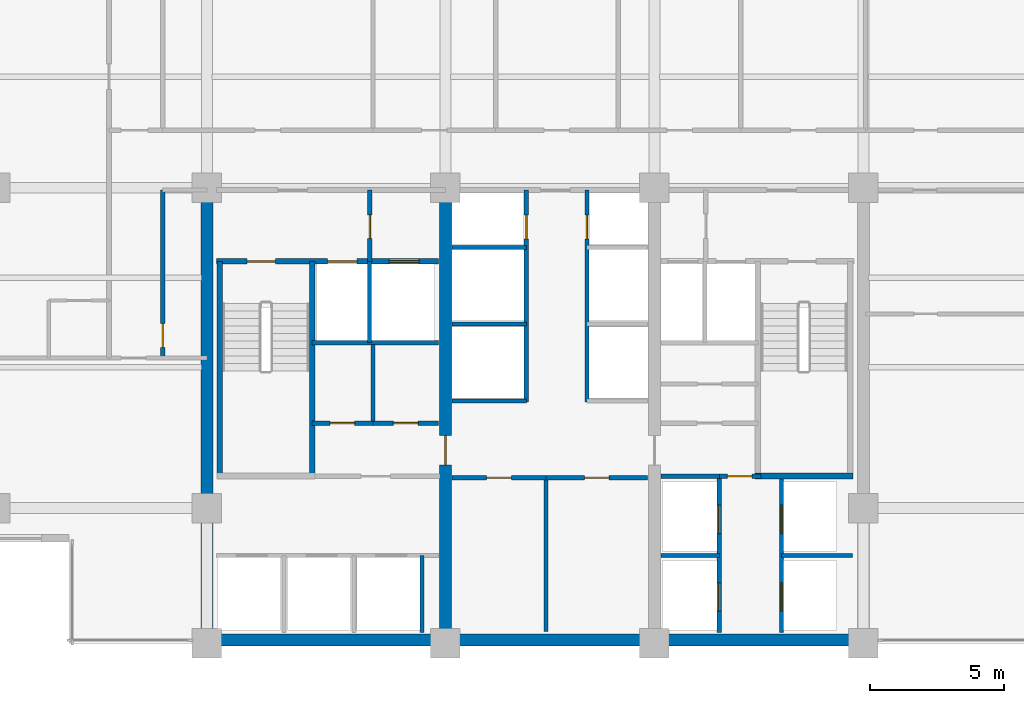
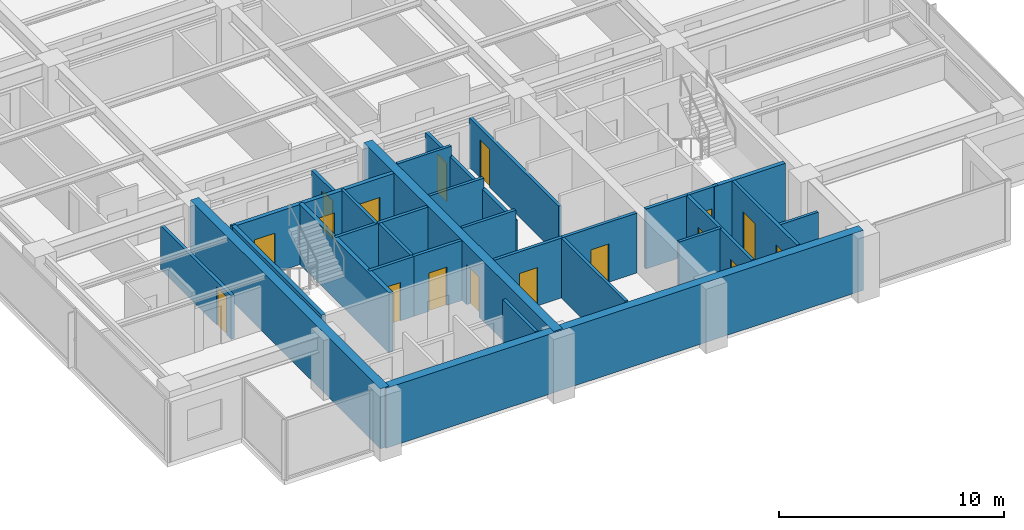
# One storey, part 7 of 15: 29 walls, 17 doors, 17 openings.
"""IFC4 building model written with IfcOpenShell, lengths in metres."""

from ifc_helpers import new_model, si_unit, direction, frame, frame_2d, origin, place, context, subcontext, project, spatial, rectangle, extrude, material, layer, layer_set, type_object, element, fill, save


model = new_model("IFC4")

# Units and contexts
model_context = context("Model", 3, precision=1e-05, world=origin(), true_north=direction((0.0, 1.0)))
body_context = subcontext(model_context, "Body", "Model", "MODEL_VIEW")
ifc_project = project(units=[si_unit("LENGTHUNIT", "METRE"), si_unit("AREAUNIT", "SQUARE_METRE"), si_unit("VOLUMEUNIT", "CUBIC_METRE"), si_unit("PLANEANGLEUNIT", "RADIAN"), si_unit("MASSUNIT", "GRAM", prefix="KILO")], contexts=[model_context])

# Site, building, storey
site_placement = place(None, origin())
site = spatial("IfcSite", under=ifc_project, at=site_placement, CompositionType="ELEMENT")
building_placement = place(site_placement, origin())
building = spatial("IfcBuilding", under=site, at=building_placement, Name="Qalmaran Belvedere Hotel", CompositionType="ELEMENT")
storey_placement = place(building_placement, frame((0.0, 0.0, 149.10009765625)))
storey = spatial("IfcBuildingStorey", under=building, at=storey_placement, Name="L37", CompositionType="ELEMENT", Elevation=149.10009765625)

# Wall
ifc_material_1 = material(Name="Concrete C50/60", Category="concrete")
ifc_layer_1 = layer(ifc_material_1, 0.449951171875, Name="Concrete C50/60")
ifc_layer_set_1 = layer_set([ifc_layer_1], Name="Concrete C50/60")
wall_type_1 = type_object("IfcWallType", Name="WL-CORE-450-C50", PredefinedType="SHEAR", material=ifc_layer_set_1)
wall_1_placement = place(storey_placement, frame((20.300048828125, 3.5, 0.0), z_axis=(0.0, 0.0, 1.0), x_axis=(0.0, 1.0, 0.0)))
element("IfcWall", 1, at=wall_1_placement, inside=storey, type_object=wall_type_1, Name="L37 West Core Shear Wall", PredefinedType="SHEAR", context=body_context, shape_type="SweptSolid", body=[
    extrude(rectangle(XDim=16.89990234375, YDim=0.449951171875, at=frame_2d((8.449951171875, 0.0))), origin(), (0.0, 0.0, 1.0), 3.25),
])

# Wall, opening, door
wall_2_placement = place(storey_placement, frame((29.199951171875, 3.5, 0.0), z_axis=(0.0, 0.0, 1.0), x_axis=(0.0, 1.0, 0.0)))
wall_2 = element("IfcWall", 2, at=wall_2_placement, inside=storey, type_object=wall_type_1, Name="L37 Core West Spine Shear Wall", PredefinedType="SHEAR", context=body_context, shape_type="SweptSolid", body=[
    extrude(rectangle(XDim=16.89990234375, YDim=0.449951171875, at=frame_2d((8.449951171875, 0.0))), origin(), (0.0, 0.0, 1.0), 3.25),
])
opening_1_placement = place(wall_2_placement, frame((7.75, 0.0, 0.0), z_axis=(0.0, 0.0, 1.0), x_axis=(-1.0, 0.0, 0.0)))
opening_1 = element("IfcOpeningElement", 3, at=opening_1_placement, cuts=wall_2, Name="Opening FD90", PredefinedType="OPENING", context=body_context, shape_type="SweptSolid", body=[
    extrude(rectangle(XDim=1.10009765625, YDim=2.14990234375, at=frame_2d((0.550048828125, 1.074951171875))), frame((0.0, 0.23486328125, 0.0), z_axis=(0.0, -1.0, 0.0), x_axis=(1.0, 0.0, 0.0)), (0.0, 0.0, 1.0), 0.469970703125),
])
ifc_material_2 = material(Name="Steel S355JR", Category="steel")
door_type_1 = type_object("IfcDoorType", Name="DR-FD90-1100X2150", OperationType="NOTDEFINED", PredefinedType="DOOR", material=ifc_material_2)
door_1_placement = place(opening_1_placement, origin())
door_1 = element("IfcDoor", 4, at=door_1_placement, inside=storey, type_object=door_type_1, Name="L37 Core West Cross-Lobby Door", OperationType="SINGLE_SWING_LEFT", OverallHeight=2.14990234375, OverallWidth=1.10009765625, PredefinedType="DOOR", context=body_context, shape_type="SweptSolid", body=[
    extrude(rectangle(XDim=1.10009765625, YDim=2.14990234375, at=frame_2d((0.550048828125, 1.074951171875))), frame((0.0, 0.02490234375, 0.0), z_axis=(0.0, -1.0, 0.0), x_axis=(1.0, 0.0, 0.0)), (0.0, 0.0, 1.0), 0.050048828125),
])
fill(opening_1, door_1)

# Walls
ifc_layer_2 = layer(ifc_material_1, 0.43994140625, Name="Concrete C50/60")
ifc_layer_set_2 = layer_set([ifc_layer_2], Name="Concrete C50/60")
wall_type_2 = type_object("IfcWallType", Name="WL-CORES-440-EXT", PredefinedType="SHEAR", material=ifc_layer_set_2)
wall_3_placement = place(storey_placement, frame((20.300048828125, 3.6298828125, 0.0), z_axis=(0.0, 0.0, 1.0), x_axis=(1.0, 0.0, 0.0)))
element("IfcWall", 5, at=wall_3_placement, inside=storey, type_object=wall_type_2, Name="L37 South Core Shear Wall", PredefinedType="SHEAR", context=body_context, shape_type="SweptSolid", body=[
    extrude(rectangle(XDim=24.5, YDim=0.43994140625, at=frame_2d((12.25, 0.0))), origin(), (0.0, 0.0, 1.0), 3.25),
])
ifc_material_3 = material(Name="Gypsum Stud Partition")
ifc_layer_3 = layer(ifc_material_3, 0.14990234375, Name="Gypsum Stud Partition")
ifc_layer_set_3 = layer_set([ifc_layer_3], Name="Gypsum Stud Partition")
wall_type_3 = type_object("IfcWallType", Name="WL-INT-150-EI120", PredefinedType="PARTITIONING", material=ifc_layer_set_3)
wall_4_placement = place(storey_placement, frame((26.360107421875, 14.719970703125, 0.0), z_axis=(0.0, 0.0, 1.0), x_axis=(0.0, 1.0, 0.0)))
element("IfcWall", 6, at=wall_4_placement, inside=storey, type_object=wall_type_3, Name="L37 Partition WL-FF1M-L37", PredefinedType="PARTITIONING", context=body_context, shape_type="SweptSolid", body=[
    extrude(rectangle(XDim=3.0400390625, YDim=0.14990234375, at=frame_2d((1.52001953125, 0.0))), origin(), (0.0, 0.0, 1.0), 3.25),
])
wall_5_placement = place(storey_placement, frame((28.320068359375, 3.89990234375, 0.0), z_axis=(0.0, 0.0, 1.0), x_axis=(0.0, 1.0, 0.0)))
element("IfcWall", 7, at=wall_5_placement, inside=storey, type_object=wall_type_3, Name="L37 Partition WL-POM3-L37", PredefinedType="PARTITIONING", context=body_context, shape_type="SweptSolid", body=[
    extrude(rectangle(XDim=2.880126953125, YDim=0.14990234375, at=frame_2d((1.43994140625, 0.0))), origin(), (0.0, 0.0, 1.0), 3.25),
])
wall_6_placement = place(storey_placement, frame((37.25, 6.780029296875, 0.0), z_axis=(0.0, 0.0, 1.0), x_axis=(1.0, 0.0, 0.0)))
element("IfcWall", 8, at=wall_6_placement, inside=storey, type_object=wall_type_3, Name="L37 Partition WL-PHMW-L37", PredefinedType="PARTITIONING", context=body_context, shape_type="SweptSolid", body=[
    extrude(rectangle(XDim=2.169921875, YDim=0.14990234375, at=frame_2d((1.0849609375, 0.0))), origin(), (0.0, 0.0, 1.0), 3.25),
])
wall_7_placement = place(storey_placement, frame((41.739990234375, 6.780029296875, 0.0), z_axis=(0.0, 0.0, 1.0), x_axis=(1.0, 0.0, 0.0)))
element("IfcWall", 9, at=wall_7_placement, inside=storey, type_object=wall_type_3, Name="L37 Partition WL-PHME-L37", PredefinedType="PARTITIONING", context=body_context, shape_type="SweptSolid", body=[
    extrude(rectangle(XDim=2.659912109375, YDim=0.14990234375, at=frame_2d((1.330078125, 0.0))), origin(), (0.0, 0.0, 1.0), 2.3798828125),
])
for number, where, z_axis, x_axis, name in (
    (10, (29.449951171875, 12.550048828125, 0.0), (0.0, 0.0, 1.0), (1.0, 0.0, 0.0), "L37 Partition WL-PMW-L37-125"),
    (11, (29.449951171875, 15.419921875, 0.0), (0.0, 0.0, 1.0), (1.0, 0.0, 0.0), "L37 Partition WL-PMW-L37-154"),
    (12, (29.449951171875, 18.280029296875, 0.0), (0.0, 0.0, 1.0), (1.0, 0.0, 0.0), "L37 Partition WL-PMW-L37-182"),
):
    element("IfcWall", number, at=place(storey_placement, frame(where, z_axis=z_axis, x_axis=x_axis)), inside=storey, type_object=wall_type_3, Name=name, PredefinedType="PARTITIONING", context=body_context, shape_type="SweptSolid", body=[
        extrude(rectangle(XDim=2.77001953125, YDim=0.14990234375, at=frame_2d((1.385009765625, 0.0))), origin(), (0.0, 0.0, 1.0), 3.25),
    ])
ifc_layer_4 = layer(ifc_material_3, 0.14990234375, Name="Gypsum Stud Partition")
ifc_layer_set_4 = layer_set([ifc_layer_4], Name="Gypsum Stud Partition")
wall_type_4 = type_object("IfcWallType", Name="WL-INT-150-EI60", PredefinedType="PARTITIONING", material=ifc_layer_set_4)
wall_8_placement = place(storey_placement, frame((26.490478515625, 11.719970703125, 0.0), z_axis=(0.0, 0.0, 1.0), x_axis=(0.0, 1.0, 0.0)))
element("IfcWall", 13, at=wall_8_placement, inside=storey, type_object=wall_type_4, Name="L37 Partition WL-L37-KWV1", PredefinedType="PARTITIONING", context=body_context, shape_type="SweptSolid", body=[
    extrude(rectangle(XDim=2.929931640625, YDim=0.14990234375, at=frame_2d((1.46484375, 0.0))), origin(), (0.0, 0.0, 1.0), 3.25),
])
wall_9_placement = place(storey_placement, frame((32.9541015625, 3.949951171875, 0.0), z_axis=(0.0, 0.0, 1.0), x_axis=(0.0, 1.0, 0.0)))
element("IfcWall", 14, at=wall_9_placement, inside=storey, type_object=wall_type_4, Name="L37 Partition WL-L37-KPLV1", PredefinedType="PARTITIONING", context=body_context, shape_type="SweptSolid", body=[
    extrude(rectangle(XDim=5.72998046875, YDim=0.14990234375, at=frame_2d((2.864990234375, 0.0))), origin(), (0.0, 0.0, 1.0), 3.25),
])

# Wall, opening, door
ifc_layer_5 = layer(ifc_material_3, 0.159912109375, Name="Gypsum Stud Partition")
ifc_layer_set_5 = layer_set([ifc_layer_5], Name="Gypsum Stud Partition")
wall_type_5 = type_object("IfcWallType", Name="WL-INT-160-EI120", PredefinedType="PARTITIONING", material=ifc_layer_set_5)
wall_10_placement = place(storey_placement, frame((26.3798828125, 17.760009765625, 0.0), z_axis=(0.0, 0.0, 1.0), x_axis=(0.0, 1.0, 0.0)))
wall_10 = element("IfcWall", 15, at=wall_10_placement, inside=storey, type_object=wall_type_5, Name="L37 Partition WL-FFSV1-L37", PredefinedType="PARTITIONING", context=body_context, shape_type="SweptSolid", body=[
    extrude(rectangle(XDim=2.659912109375, YDim=0.159912109375, at=frame_2d((1.330078125, 0.0))), origin(), (0.0, 0.0, 1.0), 2.69189453125),
])
opening_2_placement = place(wall_10_placement, frame((0.85009765625, 0.0, 0.0)))
opening_2 = element("IfcOpeningElement", 16, at=opening_2_placement, cuts=wall_10, Name="Opening FD60B", PredefinedType="OPENING", context=body_context, shape_type="SweptSolid", body=[
    extrude(rectangle(XDim=0.8798828125, YDim=2.080078125, at=frame_2d((0.43994140625, 1.0400390625))), frame((0.0, 0.08984375, 0.0), z_axis=(0.0, -1.0, 0.0), x_axis=(1.0, 0.0, 0.0)), (0.0, 0.0, 1.0), 0.179931640625),
])
door_type_2 = type_object("IfcDoorType", Name="DR-FD60B-880X2080", OperationType="NOTDEFINED", PredefinedType="DOOR", material=ifc_material_2)
door_2_placement = place(opening_2_placement, origin())
door_2 = element("IfcDoor", 17, at=door_2_placement, inside=storey, type_object=door_type_2, Name="L37 Service Lobby West Door", OperationType="SINGLE_SWING_LEFT", OverallHeight=2.080078125, OverallWidth=0.8798828125, PredefinedType="DOOR", context=body_context, shape_type="SweptSolid", body=[
    extrude(rectangle(XDim=0.8798828125, YDim=2.080078125, at=frame_2d((0.43994140625, 1.0400390625))), frame((0.0, 0.02490234375, 0.0), z_axis=(0.0, -1.0, 0.0), x_axis=(1.0, 0.0, 0.0)), (0.0, 0.0, 1.0), 0.050048828125),
])
fill(opening_2, door_2)

# Wall
wall_11_placement = place(storey_placement, frame((24.219970703125, 14.719970703125, 0.0), z_axis=(0.0, 0.0, 1.0), x_axis=(1.0, 0.0, 0.0)))
element("IfcWall", 18, at=wall_11_placement, inside=storey, type_object=wall_type_5, Name="L37 Partition WL-FF1S-L37", PredefinedType="PARTITIONING", context=body_context, shape_type="SweptSolid", body=[
    extrude(rectangle(XDim=4.72998046875, YDim=0.159912109375, at=frame_2d((2.364990234375, 0.0))), origin(), (0.0, 0.0, 1.0), 3.25),
])

# Wall, openings, doors
wall_12_placement = place(storey_placement, frame((39.419921875, 3.89990234375, 0.0), z_axis=(0.0, 0.0, 1.0), x_axis=(0.0, 1.0, 0.0)))
wall_12 = element("IfcWall", 19, at=wall_12_placement, inside=storey, type_object=wall_type_5, Name="L37 Partition WL-PHW-L37", PredefinedType="PARTITIONING", context=body_context, shape_type="SweptSolid", body=[
    extrude(rectangle(XDim=5.840087890625, YDim=0.159912109375, at=frame_2d((2.919921875, 0.0))), origin(), (0.0, 0.0, 1.0), 3.25),
])
opening_3_placement = place(wall_12_placement, frame((1.860107421875, 0.0, 0.0), z_axis=(0.0, 0.0, 1.0), x_axis=(-1.0, 0.0, 0.0)))
opening_3 = element("IfcOpeningElement", 20, at=opening_3_placement, cuts=wall_12, Name="Opening LD-P2", PredefinedType="OPENING", context=body_context, shape_type="SweptSolid", body=[
    extrude(rectangle(XDim=1.06005859375, YDim=2.159912109375, at=frame_2d((0.530029296875, 1.080078125))), frame((0.0, 0.08984375, 0.0), z_axis=(0.0, -1.0, 0.0), x_axis=(1.0, 0.0, 0.0)), (0.0, 0.0, 1.0), 0.179931640625),
])
opening_4_placement = place(wall_12_placement, frame((4.760009765625, 0.0, 0.0), z_axis=(0.0, 0.0, 1.0), x_axis=(-1.0, 0.0, 0.0)))
opening_4 = element("IfcOpeningElement", 21, at=opening_4_placement, cuts=wall_12, Name="Opening LD-P2", PredefinedType="OPENING", context=body_context, shape_type="SweptSolid", body=[
    extrude(rectangle(XDim=1.06005859375, YDim=2.159912109375, at=frame_2d((0.530029296875, 1.080078125))), frame((0.0, 0.08984375, 0.0), z_axis=(0.0, -1.0, 0.0), x_axis=(1.0, 0.0, 0.0)), (0.0, 0.0, 1.0), 0.179931640625),
])
ifc_material_4 = material(Name="Stainless Steel 1.4401", Category="steel")
door_type_3 = type_object("IfcDoorType", Name="DR-LIFT-P2-1060X2160", OperationType="DOUBLE_DOOR_SLIDING", PredefinedType="DOOR", material=ifc_material_4)
door_3_placement = place(opening_3_placement, origin())
door_3 = element("IfcDoor", 22, at=door_3_placement, inside=storey, type_object=door_type_3, Name="L37 PH1 Lift Landing Door", OperationType="DOUBLE_DOOR_SLIDING", OverallHeight=2.159912109375, OverallWidth=1.06005859375, PredefinedType="DOOR", context=body_context, shape_type="SweptSolid", body=[
    extrude(rectangle(XDim=1.06005859375, YDim=2.159912109375, at=frame_2d((0.530029296875, 1.080078125))), frame((0.0, 0.02490234375, 0.0), z_axis=(0.0, -1.0, 0.0), x_axis=(1.0, 0.0, 0.0)), (0.0, 0.0, 1.0), 0.050048828125),
])
fill(opening_3, door_3)
door_4_placement = place(opening_4_placement, origin())
door_4 = element("IfcDoor", 23, at=door_4_placement, inside=storey, type_object=door_type_3, Name="L37 PH2 Lift Landing Door", OperationType="DOUBLE_DOOR_SLIDING", OverallHeight=2.159912109375, OverallWidth=1.06005859375, PredefinedType="DOOR", context=body_context, shape_type="SweptSolid", body=[
    extrude(rectangle(XDim=1.06005859375, YDim=2.159912109375, at=frame_2d((0.530029296875, 1.080078125))), frame((0.0, 0.02490234375, 0.0), z_axis=(0.0, -1.0, 0.0), x_axis=(1.0, 0.0, 0.0)), (0.0, 0.0, 1.0), 0.050048828125),
])
fill(opening_4, door_4)

wall_13_placement = place(storey_placement, frame((41.739990234375, 3.89990234375, 0.0), z_axis=(0.0, 0.0, 1.0), x_axis=(0.0, 1.0, 0.0)))
wall_13 = element("IfcWall", 24, at=wall_13_placement, inside=storey, type_object=wall_type_5, Name="L37 Partition WL-PHE-L37", PredefinedType="PARTITIONING", context=body_context, shape_type="SweptSolid", body=[
    extrude(rectangle(XDim=5.840087890625, YDim=0.159912109375, at=frame_2d((2.919921875, 0.0))), origin(), (0.0, 0.0, 1.0), 3.25),
])
opening_5_placement = place(wall_13_placement, frame((0.800048828125, 0.0, 0.0)))
opening_5 = element("IfcOpeningElement", 25, at=opening_5_placement, cuts=wall_13, Name="Opening LD-P2", PredefinedType="OPENING", context=body_context, shape_type="SweptSolid", body=[
    extrude(rectangle(XDim=1.06005859375, YDim=2.159912109375, at=frame_2d((0.530029296875, 1.080078125))), frame((0.0, 0.08984375, 0.0), z_axis=(0.0, -1.0, 0.0), x_axis=(1.0, 0.0, 0.0)), (0.0, 0.0, 1.0), 0.179931640625),
])
opening_6_placement = place(wall_13_placement, frame((3.699951171875, 0.0, 0.0)))
opening_6 = element("IfcOpeningElement", 26, at=opening_6_placement, cuts=wall_13, Name="Opening LD-P2", PredefinedType="OPENING", context=body_context, shape_type="SweptSolid", body=[
    extrude(rectangle(XDim=1.06005859375, YDim=2.159912109375, at=frame_2d((0.530029296875, 1.080078125))), frame((0.0, 0.08984375, 0.0), z_axis=(0.0, -1.0, 0.0), x_axis=(1.0, 0.0, 0.0)), (0.0, 0.0, 1.0), 0.179931640625),
])
door_5_placement = place(opening_5_placement, origin())
door_5 = element("IfcDoor", 27, at=door_5_placement, inside=storey, type_object=door_type_3, Name="L37 PH3 Lift Landing Door", OperationType="DOUBLE_DOOR_SLIDING", OverallHeight=2.159912109375, OverallWidth=1.06005859375, PredefinedType="DOOR", context=body_context, shape_type="SweptSolid", body=[
    extrude(rectangle(XDim=1.06005859375, YDim=2.159912109375, at=frame_2d((0.530029296875, 1.080078125))), frame((0.0, 0.02490234375, 0.0), z_axis=(0.0, -1.0, 0.0), x_axis=(1.0, 0.0, 0.0)), (0.0, 0.0, 1.0), 0.050048828125),
])
fill(opening_5, door_5)
door_6_placement = place(opening_6_placement, origin())
door_6 = element("IfcDoor", 28, at=door_6_placement, inside=storey, type_object=door_type_3, Name="L37 PH4 Lift Landing Door", OperationType="DOUBLE_DOOR_SLIDING", OverallHeight=2.159912109375, OverallWidth=1.06005859375, PredefinedType="DOOR", context=body_context, shape_type="SweptSolid", body=[
    extrude(rectangle(XDim=1.06005859375, YDim=2.159912109375, at=frame_2d((0.530029296875, 1.080078125))), frame((0.0, 0.02490234375, 0.0), z_axis=(0.0, -1.0, 0.0), x_axis=(1.0, 0.0, 0.0)), (0.0, 0.0, 1.0), 0.050048828125),
])
fill(opening_6, door_6)

# Wall
wall_14_placement = place(storey_placement, frame((37.25, 9.739990234375, 0.0), z_axis=(0.0, 0.0, 1.0), x_axis=(1.0, 0.0, 0.0)))
element("IfcWall", 29, at=wall_14_placement, inside=storey, type_object=wall_type_5, Name="L37 Partition WL-PHNW-L37", PredefinedType="PARTITIONING", context=body_context, shape_type="SweptSolid", body=[
    extrude(rectangle(XDim=2.169921875, YDim=0.159912109375, at=frame_2d((1.0849609375, 0.0))), origin(), (0.0, 0.0, 1.0), 3.25),
])

# Wall, opening, door
wall_15_placement = place(storey_placement, frame((39.419921875, 9.739990234375, 0.0), z_axis=(0.0, 0.0, 1.0), x_axis=(1.0, 0.0, 0.0)))
wall_15 = element("IfcWall", 30, at=wall_15_placement, inside=storey, type_object=wall_type_5, Name="L37 Partition WL-PHNL-L37", PredefinedType="PARTITIONING", context=body_context, shape_type="SweptSolid", body=[
    extrude(rectangle(XDim=1.56005859375, YDim=0.159912109375, at=frame_2d((0.780029296875, 0.0))), origin(), (0.0, 0.0, 1.0), 3.25),
])
opening_7_placement = place(wall_15_placement, frame((0.300048828125, 0.0, 0.0)))
opening_7 = element("IfcOpeningElement", 31, at=opening_7_placement, cuts=wall_15, Name="Opening FD60S1", PredefinedType="OPENING", context=body_context, shape_type="SweptSolid", body=[
    extrude(rectangle(XDim=0.919921875, YDim=2.080078125, at=frame_2d((0.4599609375, 1.0400390625))), frame((0.0, 0.08984375, 0.0), z_axis=(0.0, -1.0, 0.0), x_axis=(1.0, 0.0, 0.0)), (0.0, 0.0, 1.0), 0.179931640625),
])
ifc_material_5 = material(Name="Engineered Oak Veneer")
door_type_4 = type_object("IfcDoorType", Name="DR-FD60S-920X2080", OperationType="NOTDEFINED", PredefinedType="DOOR", material=ifc_material_5)
door_7_placement = place(opening_7_placement, origin())
door_7 = element("IfcDoor", 32, at=door_7_placement, inside=storey, type_object=door_type_4, Name="L37 High-Rise Lift Lobby Passage Door", OperationType="SINGLE_SWING_LEFT", OverallHeight=2.080078125, OverallWidth=0.919921875, PredefinedType="DOOR", context=body_context, shape_type="SweptSolid", body=[
    extrude(rectangle(XDim=0.919921875, YDim=2.080078125, at=frame_2d((0.4599609375, 1.0400390625))), frame((0.0, 0.02490234375, 0.0), z_axis=(0.0, -1.0, 0.0), x_axis=(1.0, 0.0, 0.0)), (0.0, 0.0, 1.0), 0.050048828125),
])
fill(opening_7, door_7)

wall_16_placement = place(storey_placement, frame((32.219970703125, 12.5, 0.0), z_axis=(0.0, 0.0, 1.0), x_axis=(0.0, 1.0, 0.0)))
wall_16 = element("IfcWall", 33, at=wall_16_placement, inside=storey, type_object=wall_type_5, Name="L37 Partition WL-CLBWN-L37", PredefinedType="PARTITIONING", context=body_context, shape_type="SweptSolid", body=[
    extrude(rectangle(XDim=7.919921875, YDim=0.159912109375, at=frame_2d((3.9599609375, 0.0))), origin(), (0.0, 0.0, 1.0), 2.69189453125),
])
opening_8_placement = place(wall_16_placement, frame((6.10009765625, 0.0, 0.0)))
opening_8 = element("IfcOpeningElement", 34, at=opening_8_placement, cuts=wall_16, Name="Opening FD60B", PredefinedType="OPENING", context=body_context, shape_type="SweptSolid", body=[
    extrude(rectangle(XDim=0.8798828125, YDim=2.080078125, at=frame_2d((0.43994140625, 1.0400390625))), frame((0.0, 0.08984375, 0.0), z_axis=(0.0, -1.0, 0.0), x_axis=(1.0, 0.0, 0.0)), (0.0, 0.0, 1.0), 0.179931640625),
])
door_8_placement = place(opening_8_placement, origin())
door_8 = element("IfcDoor", 35, at=door_8_placement, inside=storey, type_object=door_type_2, Name="L37 West Riser Access Door", OperationType="SINGLE_SWING_RIGHT", OverallHeight=2.080078125, OverallWidth=0.8798828125, PredefinedType="DOOR", context=body_context, shape_type="SweptSolid", body=[
    extrude(rectangle(XDim=0.8798828125, YDim=2.080078125, at=frame_2d((0.43994140625, 1.0400390625))), frame((0.0, 0.02490234375, 0.0), z_axis=(0.0, -1.0, 0.0), x_axis=(1.0, 0.0, 0.0)), (0.0, 0.0, 1.0), 0.050048828125),
])
fill(opening_8, door_8)

wall_17_placement = place(storey_placement, frame((34.47998046875, 12.5, 0.0), z_axis=(0.0, 0.0, 1.0), x_axis=(0.0, 1.0, 0.0)))
wall_17 = element("IfcWall", 36, at=wall_17_placement, inside=storey, type_object=wall_type_5, Name="L37 Partition WL-CLBEN-L37", PredefinedType="PARTITIONING", context=body_context, shape_type="SweptSolid", body=[
    extrude(rectangle(XDim=7.919921875, YDim=0.159912109375, at=frame_2d((3.9599609375, 0.0))), origin(), (0.0, 0.0, 1.0), 2.69189453125),
])
opening_9_placement = place(wall_17_placement, frame((6.97998046875, 0.0, 0.0), z_axis=(0.0, 0.0, 1.0), x_axis=(-1.0, 0.0, 0.0)))
opening_9 = element("IfcOpeningElement", 37, at=opening_9_placement, cuts=wall_17, Name="Opening FD60B", PredefinedType="OPENING", context=body_context, shape_type="SweptSolid", body=[
    extrude(rectangle(XDim=0.8798828125, YDim=2.080078125, at=frame_2d((0.43994140625, 1.0400390625))), frame((0.0, 0.08984375, 0.0), z_axis=(0.0, -1.0, 0.0), x_axis=(1.0, 0.0, 0.0)), (0.0, 0.0, 1.0), 0.179931640625),
])
door_9_placement = place(opening_9_placement, origin())
door_9 = element("IfcDoor", 38, at=door_9_placement, inside=storey, type_object=door_type_2, Name="L37 East Riser Access Door", OperationType="SINGLE_SWING_LEFT", OverallHeight=2.080078125, OverallWidth=0.8798828125, PredefinedType="DOOR", context=body_context, shape_type="SweptSolid", body=[
    extrude(rectangle(XDim=0.8798828125, YDim=2.080078125, at=frame_2d((0.43994140625, 1.0400390625))), frame((0.0, 0.02490234375, 0.0), z_axis=(0.0, -1.0, 0.0), x_axis=(1.0, 0.0, 0.0)), (0.0, 0.0, 1.0), 0.050048828125),
])
fill(opening_9, door_9)

ifc_layer_6 = layer(ifc_material_3, 0.159912109375, Name="Gypsum Stud Partition")
ifc_layer_set_6 = layer_set([ifc_layer_6], Name="Gypsum Stud Partition")
wall_type_6 = type_object("IfcWallType", Name="WL-INT-160-EI60", PredefinedType="PARTITIONING", material=ifc_layer_set_6)
wall_18_placement = place(storey_placement, frame((24.219970703125, 11.719970703125, 0.0), z_axis=(0.0, 0.0, 1.0), x_axis=(1.0, 0.0, 0.0)))
wall_18 = element("IfcWall", 39, at=wall_18_placement, inside=storey, type_object=wall_type_6, Name="L37 Partition WL-L37-KWE1", PredefinedType="PARTITIONING", context=body_context, shape_type="SweptSolid", body=[
    extrude(rectangle(XDim=2.2705078125, YDim=0.159912109375, at=frame_2d((1.13525390625, 0.0))), origin(), (0.0, 0.0, 1.0), 3.25),
])
opening_10_placement = place(wall_18_placement, frame((0.67529296875, 0.0, 0.0)))
opening_10 = element("IfcOpeningElement", 40, at=opening_10_placement, cuts=wall_18, Name="Opening FD60S1", PredefinedType="OPENING", context=body_context, shape_type="SweptSolid", body=[
    extrude(rectangle(XDim=0.919921875, YDim=2.080078125, at=frame_2d((0.4599609375, 1.0400390625))), frame((0.0, 0.08984375, 0.0), z_axis=(0.0, -1.0, 0.0), x_axis=(1.0, 0.0, 0.0)), (0.0, 0.0, 1.0), 0.179931640625),
])
door_10_placement = place(opening_10_placement, origin())
door_10 = element("IfcDoor", 41, at=door_10_placement, inside=storey, type_object=door_type_4, Name="L37 Telecom and IT Room Door", OperationType="SINGLE_SWING_RIGHT", OverallHeight=2.080078125, OverallWidth=0.919921875, PredefinedType="DOOR", context=body_context, shape_type="SweptSolid", body=[
    extrude(rectangle(XDim=0.919921875, YDim=2.080078125, at=frame_2d((0.4599609375, 1.0400390625))), frame((0.0, 0.02490234375, 0.0), z_axis=(0.0, -1.0, 0.0), x_axis=(1.0, 0.0, 0.0)), (0.0, 0.0, 1.0), 0.050048828125),
])
fill(opening_10, door_10)

wall_19_placement = place(storey_placement, frame((26.490478515625, 11.719970703125, 0.0), z_axis=(0.0, 0.0, 1.0), x_axis=(1.0, 0.0, 0.0)))
wall_19 = element("IfcWall", 42, at=wall_19_placement, inside=storey, type_object=wall_type_6, Name="L37 Partition WL-L37-KWE2", PredefinedType="PARTITIONING", context=body_context, shape_type="SweptSolid", body=[
    extrude(rectangle(XDim=2.45947265625, YDim=0.159912109375, at=frame_2d((1.229736328125, 0.0))), origin(), (0.0, 0.0, 1.0), 3.25),
])
opening_11_placement = place(wall_19_placement, frame((0.769775390625, 0.0, 0.0)))
opening_11 = element("IfcOpeningElement", 43, at=opening_11_placement, cuts=wall_19, Name="Opening FD60S1", PredefinedType="OPENING", context=body_context, shape_type="SweptSolid", body=[
    extrude(rectangle(XDim=0.919921875, YDim=2.080078125, at=frame_2d((0.4599609375, 1.0400390625))), frame((0.0, 0.08984375, 0.0), z_axis=(0.0, -1.0, 0.0), x_axis=(1.0, 0.0, 0.0)), (0.0, 0.0, 1.0), 0.179931640625),
])
door_11_placement = place(opening_11_placement, origin())
door_11 = element("IfcDoor", 44, at=door_11_placement, inside=storey, type_object=door_type_4, Name="L37 Cleaner Supply Store Door", OperationType="SINGLE_SWING_LEFT", OverallHeight=2.080078125, OverallWidth=0.919921875, PredefinedType="DOOR", context=body_context, shape_type="SweptSolid", body=[
    extrude(rectangle(XDim=0.919921875, YDim=2.080078125, at=frame_2d((0.4599609375, 1.0400390625))), frame((0.0, 0.02490234375, 0.0), z_axis=(0.0, -1.0, 0.0), x_axis=(1.0, 0.0, 0.0)), (0.0, 0.0, 1.0), 0.050048828125),
])
fill(opening_11, door_11)

wall_20_placement = place(storey_placement, frame((29.449951171875, 9.679931640625, 0.0), z_axis=(0.0, 0.0, 1.0), x_axis=(1.0, 0.0, 0.0)))
wall_20 = element("IfcWall", 45, at=wall_20_placement, inside=storey, type_object=wall_type_6, Name="L37 Partition WL-L37-KPLE1", PredefinedType="PARTITIONING", context=body_context, shape_type="SweptSolid", body=[
    extrude(rectangle(XDim=3.504150390625, YDim=0.159912109375, at=frame_2d((1.751953125, 0.0))), origin(), (0.0, 0.0, 1.0), 3.25),
])
opening_12_placement = place(wall_20_placement, frame((2.2119140625, 0.0, 0.0), z_axis=(0.0, 0.0, 1.0), x_axis=(-1.0, 0.0, 0.0)))
opening_12 = element("IfcOpeningElement", 46, at=opening_12_placement, cuts=wall_20, Name="Opening FD60S1", PredefinedType="OPENING", context=body_context, shape_type="SweptSolid", body=[
    extrude(rectangle(XDim=0.919921875, YDim=2.080078125, at=frame_2d((0.4599609375, 1.0400390625))), frame((0.0, 0.08984375, 0.0), z_axis=(0.0, -1.0, 0.0), x_axis=(1.0, 0.0, 0.0)), (0.0, 0.0, 1.0), 0.179931640625),
])
door_12_placement = place(opening_12_placement, origin())
door_12 = element("IfcDoor", 47, at=door_12_placement, inside=storey, type_object=door_type_4, Name="L37 Hotel Butler Service Pantry Door", OperationType="SINGLE_SWING_RIGHT", OverallHeight=2.080078125, OverallWidth=0.919921875, PredefinedType="DOOR", context=body_context, shape_type="SweptSolid", body=[
    extrude(rectangle(XDim=0.919921875, YDim=2.080078125, at=frame_2d((0.4599609375, 1.0400390625))), frame((0.0, 0.02490234375, 0.0), z_axis=(0.0, -1.0, 0.0), x_axis=(1.0, 0.0, 0.0)), (0.0, 0.0, 1.0), 0.050048828125),
])
fill(opening_12, door_12)

wall_21_placement = place(storey_placement, frame((32.9541015625, 9.679931640625, 0.0), z_axis=(0.0, 0.0, 1.0), x_axis=(1.0, 0.0, 0.0)))
wall_21 = element("IfcWall", 48, at=wall_21_placement, inside=storey, type_object=wall_type_6, Name="L37 Partition WL-L37-KPLE2", PredefinedType="PARTITIONING", context=body_context, shape_type="SweptSolid", body=[
    extrude(rectangle(XDim=3.7958984375, YDim=0.159912109375, at=frame_2d((1.89794921875, 0.0))), origin(), (0.0, 0.0, 1.0), 3.25),
])
opening_13_placement = place(wall_21_placement, frame((2.35791015625, 0.0, 0.0), z_axis=(0.0, 0.0, 1.0), x_axis=(-1.0, 0.0, 0.0)))
opening_13 = element("IfcOpeningElement", 49, at=opening_13_placement, cuts=wall_21, Name="Opening FD60S1", PredefinedType="OPENING", context=body_context, shape_type="SweptSolid", body=[
    extrude(rectangle(XDim=0.919921875, YDim=2.080078125, at=frame_2d((0.4599609375, 1.0400390625))), frame((0.0, 0.08984375, 0.0), z_axis=(0.0, -1.0, 0.0), x_axis=(1.0, 0.0, 0.0)), (0.0, 0.0, 1.0), 0.179931640625),
])
door_13_placement = place(opening_13_placement, origin())
door_13 = element("IfcDoor", 50, at=door_13_placement, inside=storey, type_object=door_type_4, Name="L37 Guest Valet Supply Store Door", OperationType="SINGLE_SWING_LEFT", OverallHeight=2.080078125, OverallWidth=0.919921875, PredefinedType="DOOR", context=body_context, shape_type="SweptSolid", body=[
    extrude(rectangle(XDim=0.919921875, YDim=2.080078125, at=frame_2d((0.4599609375, 1.0400390625))), frame((0.0, 0.02490234375, 0.0), z_axis=(0.0, -1.0, 0.0), x_axis=(1.0, 0.0, 0.0)), (0.0, 0.0, 1.0), 0.050048828125),
])
fill(opening_13, door_13)

wall_22_placement = place(storey_placement, frame((18.64990234375, 14.14990234375, 0.0), z_axis=(0.0, 0.0, 1.0), x_axis=(0.0, 1.0, 0.0)))
wall_22 = element("IfcWall", 51, at=wall_22_placement, inside=storey, type_object=wall_type_6, Name="L37 Partition WL-L37-WCL", PredefinedType="PARTITIONING", context=body_context, shape_type="SweptSolid", body=[
    extrude(rectangle(XDim=6.27001953125, YDim=0.159912109375, at=frame_2d((3.135009765625, 0.0))), origin(), (0.0, 0.0, 1.0), 2.3798828125),
])
opening_14_placement = place(wall_22_placement, frame((1.27978515625, 0.0, 0.0), z_axis=(0.0, 0.0, 1.0), x_axis=(-1.0, 0.0, 0.0)))
opening_14 = element("IfcOpeningElement", 52, at=opening_14_placement, cuts=wall_22, Name="Opening FD60B", PredefinedType="OPENING", context=body_context, shape_type="SweptSolid", body=[
    extrude(rectangle(XDim=0.8798828125, YDim=2.080078125, at=frame_2d((0.43994140625, 1.0400390625))), frame((0.0, 0.08984375, 0.0), z_axis=(0.0, -1.0, 0.0), x_axis=(1.0, 0.0, 0.0)), (0.0, 0.0, 1.0), 0.179931640625),
])
door_14_placement = place(opening_14_placement, origin())
door_14 = element("IfcDoor", 53, at=door_14_placement, inside=storey, type_object=door_type_2, Name="L37 West Closet Door", OperationType="SINGLE_SWING_RIGHT", OverallHeight=2.080078125, OverallWidth=0.8798828125, PredefinedType="DOOR", context=body_context, shape_type="SweptSolid", body=[
    extrude(rectangle(XDim=0.8798828125, YDim=2.080078125, at=frame_2d((0.43994140625, 1.0400390625))), frame((0.0, 0.02490234375, 0.0), z_axis=(0.0, -1.0, 0.0), x_axis=(1.0, 0.0, 0.0)), (0.0, 0.0, 1.0), 0.050048828125),
])
fill(opening_14, door_14)

# Walls
ifc_layer_7 = layer(ifc_material_1, 0.2099609375, Name="Concrete C50/60")
ifc_layer_set_7 = layer_set([ifc_layer_7], Name="Concrete C50/60")
wall_type_7 = type_object("IfcWallType", Name="WL-STAIR-210-C50", PredefinedType="SHEAR", material=ifc_layer_set_7)
for number, where, z_axis, x_axis, name in (
    (54, (20.77490234375, 9.7451171875, 0.0), (0.0, 0.0, 1.0), (0.0, 1.0, 0.0), "L37 Stair ST-1 West Bearing Wall"),
    (55, (24.22509765625, 9.7451171875, 0.0), (0.0, 0.0, 1.0), (0.0, 1.0, 0.0), "L37 Stair ST-1 East Bearing Wall"),
):
    element("IfcWall", number, at=place(storey_placement, frame(where, z_axis=z_axis, x_axis=x_axis)), inside=storey, type_object=wall_type_7, Name=name, PredefinedType="SHEAR", context=body_context, shape_type="SweptSolid", body=[
        extrude(rectangle(XDim=8.009765625, YDim=0.2099609375, at=frame_2d((4.0048828125, 0.0))), origin(), (0.0, 0.0, 1.0), 3.25),
    ])

# Wall, openings, doors
wall_23_placement = place(storey_placement, frame((20.64990234375, 17.7548828125, 0.0), z_axis=(0.0, 0.0, 1.0), x_axis=(1.0, 0.0, 0.0)))
wall_23 = element("IfcWall", 56, at=wall_23_placement, inside=storey, type_object=wall_type_7, Name="L37 West Lobby and Stair ST-1 North Bearing Wall", PredefinedType="SHEAR", context=body_context, shape_type="SweptSolid", body=[
    extrude(rectangle(XDim=8.300048828125, YDim=0.2099609375, at=frame_2d((4.14990234375, 0.0))), origin(), (0.0, 0.0, 1.0), 3.25),
])
opening_15_placement = place(wall_23_placement, frame((2.199951171875, 0.0, 0.0), z_axis=(0.0, 0.0, 1.0), x_axis=(-1.0, 0.0, 0.0)))
opening_15 = element("IfcOpeningElement", 57, at=opening_15_placement, cuts=wall_23, Name="Opening FD90S2", PredefinedType="OPENING", context=body_context, shape_type="SweptSolid", body=[
    extrude(rectangle(XDim=1.050048828125, YDim=2.14990234375, at=frame_2d((0.52490234375, 1.074951171875))), frame((0.0, 0.114990234375, 0.0), z_axis=(0.0, -1.0, 0.0), x_axis=(1.0, 0.0, 0.0)), (0.0, 0.0, 1.0), 0.22998046875),
])
opening_16_placement = place(wall_23_placement, frame((4.14990234375, 0.0, 0.0)))
opening_16 = element("IfcOpeningElement", 58, at=opening_16_placement, cuts=wall_23, Name="Opening LD-FF", PredefinedType="OPENING", context=body_context, shape_type="SweptSolid", body=[
    extrude(rectangle(XDim=1.10009765625, YDim=2.179931640625, at=frame_2d((0.550048828125, 1.08984375))), frame((0.0, 0.114990234375, 0.0), z_axis=(0.0, -1.0, 0.0), x_axis=(1.0, 0.0, 0.0)), (0.0, 0.0, 1.0), 0.22998046875),
])
opening_17_placement = place(wall_23_placement, frame((6.449951171875, 0.0, 0.0)))
opening_17 = element("IfcOpeningElement", 59, at=opening_17_placement, cuts=wall_23, Name="Opening LD-SV", PredefinedType="OPENING", context=body_context, shape_type="SweptSolid", body=[
    extrude(rectangle(XDim=1.1201171875, YDim=2.199951171875, at=frame_2d((0.56005859375, 1.10009765625))), frame((0.0, 0.114990234375, 0.0), z_axis=(0.0, -1.0, 0.0), x_axis=(1.0, 0.0, 0.0)), (0.0, 0.0, 1.0), 0.22998046875),
])
door_type_5 = type_object("IfcDoorType", Name="DR-FD90S-1050X2150", OperationType="NOTDEFINED", PredefinedType="DOOR", material=ifc_material_2)
door_15_placement = place(opening_15_placement, origin())
door_15 = element("IfcDoor", 60, at=door_15_placement, inside=storey, type_object=door_type_5, Name="L37 Stair ST-1 Door", OperationType="SINGLE_SWING_LEFT", OverallHeight=2.14990234375, OverallWidth=1.050048828125, PredefinedType="DOOR", context=body_context, shape_type="SweptSolid", body=[
    extrude(rectangle(XDim=1.050048828125, YDim=2.14990234375, at=frame_2d((0.52490234375, 1.074951171875))), frame((0.0, 0.02490234375, 0.0), z_axis=(0.0, -1.0, 0.0), x_axis=(1.0, 0.0, 0.0)), (0.0, 0.0, 1.0), 0.050048828125),
])
fill(opening_15, door_15)
door_type_6 = type_object("IfcDoorType", Name="DR-LIFT-FF-1100X2180", OperationType="DOUBLE_DOOR_SLIDING", PredefinedType="DOOR", material=ifc_material_4)
door_16_placement = place(opening_16_placement, origin())
door_16 = element("IfcDoor", 61, at=door_16_placement, inside=storey, type_object=door_type_6, Name="L37 FF1 Lift Landing Door", OperationType="DOUBLE_DOOR_SLIDING", OverallHeight=2.179931640625, OverallWidth=1.10009765625, PredefinedType="DOOR", context=body_context, shape_type="SweptSolid", body=[
    extrude(rectangle(XDim=1.10009765625, YDim=2.179931640625, at=frame_2d((0.550048828125, 1.08984375))), frame((0.0, 0.02490234375, 0.0), z_axis=(0.0, -1.0, 0.0), x_axis=(1.0, 0.0, 0.0)), (0.0, 0.0, 1.0), 0.050048828125),
])
fill(opening_16, door_16)
door_type_7 = type_object("IfcDoorType", Name="DR-LIFT-SV-1120X2200", OperationType="DOUBLE_DOOR_SLIDING", PredefinedType="DOOR", material=ifc_material_4)
door_17_placement = place(opening_17_placement, origin())
door_17 = element("IfcDoor", 62, at=door_17_placement, inside=storey, type_object=door_type_7, Name="L37 SV1 Lift Landing Door", OperationType="DOUBLE_DOOR_SLIDING", OverallHeight=2.199951171875, OverallWidth=1.1201171875, PredefinedType="DOOR", context=body_context, shape_type="SweptSolid", body=[
    extrude(rectangle(XDim=1.1201171875, YDim=2.199951171875, at=frame_2d((0.56005859375, 1.10009765625))), frame((0.0, 0.02490234375, 0.0), z_axis=(0.0, -1.0, 0.0), x_axis=(1.0, 0.0, 0.0)), (0.0, 0.0, 1.0), 0.050048828125),
])
fill(opening_17, door_17)

# Wall
wall_24_placement = place(storey_placement, frame((40.75, 9.7451171875, 0.0), z_axis=(0.0, 0.0, 1.0), x_axis=(1.0, 0.0, 0.0)))
element("IfcWall", 63, at=wall_24_placement, inside=storey, type_object=wall_type_7, Name="L37 Stair ST-2 South Bearing Wall", PredefinedType="SHEAR", context=body_context, shape_type="SweptSolid", body=[
    extrude(rectangle(XDim=3.659912109375, YDim=0.2099609375, at=frame_2d((1.830078125, 0.0))), origin(), (0.0, 0.0, 1.0), 3.25),
])

save(model, "model.ifc")
